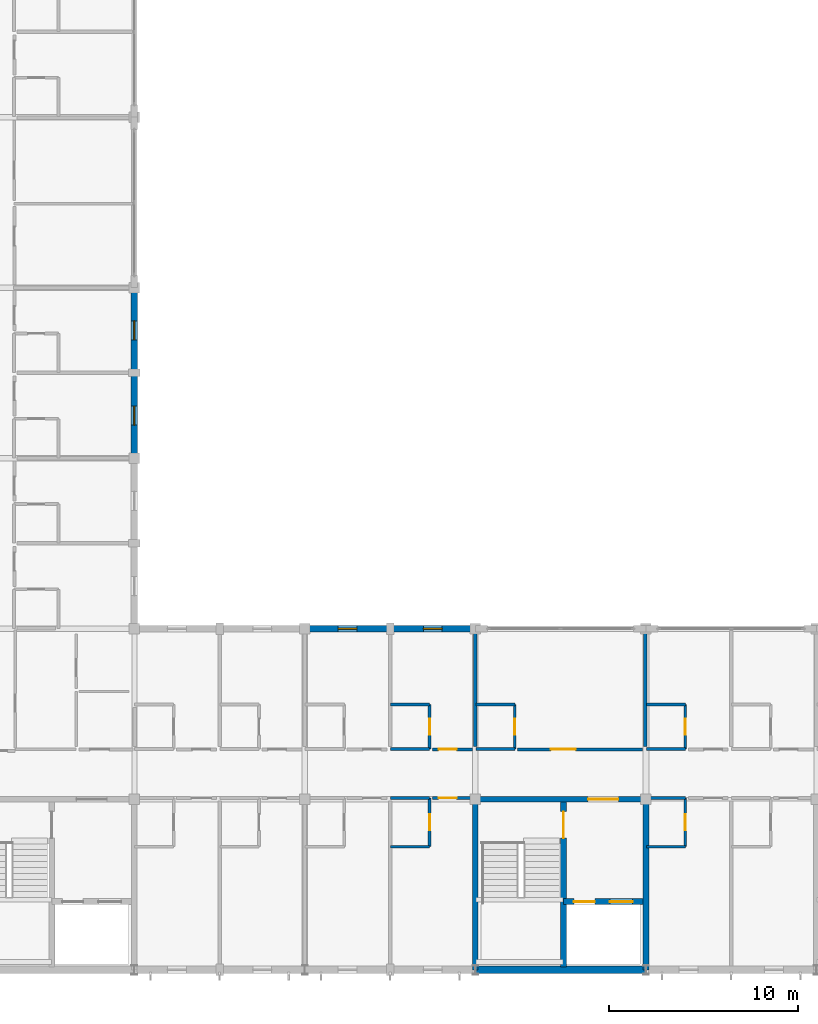
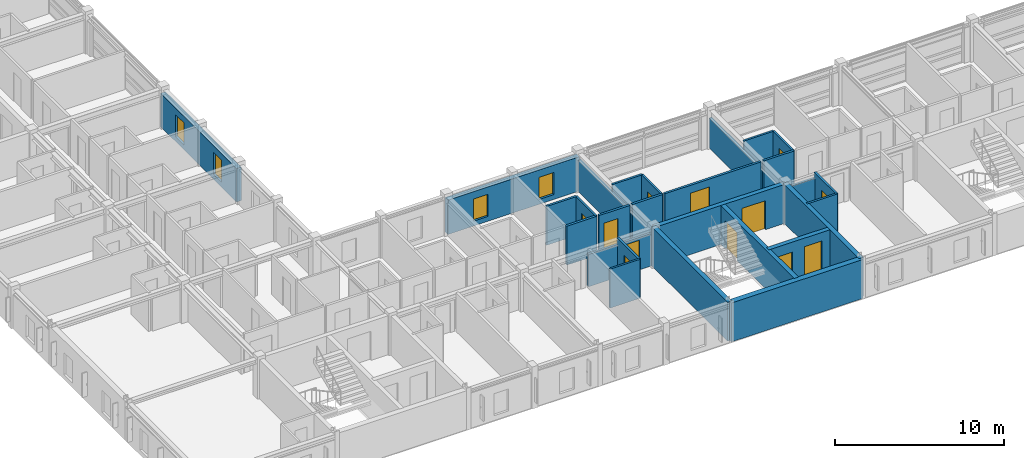
# One storey, part 17 of 30: 28 walls, 12 doors, 4 windows, 16 openings.
"""IFC4 building model written with IfcOpenShell, lengths in metres."""

from ifc_helpers import new_model, si_unit, direction, frame, frame_2d, origin, place, context, subcontext, project, spatial, rectangle, extrude, material, layer, layer_set, type_object, element, fill, save


model = new_model("IFC4")

# Units and contexts
model_context = context("Model", 3, precision=1e-05, world=origin(), true_north=direction((0.0, 1.0)))
body_context = subcontext(model_context, "Body", "Model", "MODEL_VIEW")
ifc_project = project(units=[si_unit("LENGTHUNIT", "METRE"), si_unit("AREAUNIT", "SQUARE_METRE"), si_unit("VOLUMEUNIT", "CUBIC_METRE"), si_unit("PLANEANGLEUNIT", "RADIAN"), si_unit("MASSUNIT", "GRAM", prefix="KILO")], contexts=[model_context])

# Site, building, storey
site_placement = place(None, origin())
site = spatial("IfcSite", under=ifc_project, at=site_placement, CompositionType="ELEMENT")
building_placement = place(site_placement, origin())
building = spatial("IfcBuilding", under=site, at=building_placement, Name="Palais des Congres Ocreval", CompositionType="ELEMENT")
storey_placement = place(building_placement, frame((0.0, 0.0, 14.56005859375)))
storey = spatial("IfcBuildingStorey", under=building, at=storey_placement, Name="L04", CompositionType="ELEMENT", Elevation=14.56005859375)

# Wall, opening, door
ifc_material_1 = material(Name="Moisture-resistant gypsum board")
ifc_layer_1 = layer(ifc_material_1, 0.139892578125)
ifc_layer_set_1 = layer_set([ifc_layer_1], Name="Bathroom Plumbing Chase Wall 140 Gypsum (Moisture-resistant gypsum board)")
wall_type_1 = type_object("IfcWallType", Name="Bathroom Plumbing Chase Wall 140 Gypsum", PredefinedType="PLUMBINGWALL", material=ifc_layer_set_1)
wall_1_placement = place(storey_placement, frame((33.580078125, 6.5, 0.0), z_axis=(0.0, 0.0, 1.0), x_axis=(0.0, 1.0, 0.0)))
wall_1 = element("IfcWall", 1, at=wall_1_placement, inside=storey, type_object=wall_type_1, Name="Bathroom Plumbing Wall PW03 L04", PredefinedType="PLUMBINGWALL", context=body_context, shape_type="SweptSolid", body=[
    extrude(rectangle(XDim=2.56005859375, YDim=0.139892578125, at=frame_2d((1.280029296875, 0.0))), origin(), (0.0, 0.0, 1.0), 2.81982421875),
])
opening_1_placement = place(wall_1_placement, frame((0.85498046875, 0.0, 0.0)))
opening_1 = element("IfcOpeningElement", 2, at=opening_1_placement, cuts=wall_1, Name="Opening D08", PredefinedType="OPENING", context=body_context, shape_type="SweptSolid", body=[
    extrude(rectangle(XDim=0.85009765625, YDim=2.0400390625, at=frame_2d((0.425048828125, 1.02001953125))), frame((0.0, 0.079833984375, 0.0), z_axis=(0.0, -1.0, 0.0), x_axis=(1.0, 0.0, 0.0)), (0.0, 0.0, 1.0), 0.159912109375),
])
ifc_material_2 = material(Name="Solid French oak", Category="wood")
door_type_1 = type_object("IfcDoorType", Name="En-Suite Bathroom Door 850x2040", OperationType="NOTDEFINED", PredefinedType="DOOR", material=ifc_material_2)
door_1_placement = place(opening_1_placement, origin())
door_1 = element("IfcDoor", 3, at=door_1_placement, inside=storey, type_object=door_type_1, Name="En-Suite Bathroom Door D08 L04", OperationType="SINGLE_SWING_RIGHT", OverallHeight=2.0400390625, OverallWidth=0.85009765625, PredefinedType="DOOR", context=body_context, shape_type="SweptSolid", body=[
    extrude(rectangle(XDim=0.85009765625, YDim=2.0400390625, at=frame_2d((0.425048828125, 1.02001953125))), frame((0.0, 0.02490234375, 0.0), z_axis=(0.0, -1.0, 0.0), x_axis=(1.0, 0.0, 0.0)), (0.0, 0.0, 1.0), 0.050048828125),
])
fill(opening_1, door_1)

# Wall
wall_2_placement = place(storey_placement, frame((31.52001953125, 6.5, 0.0), z_axis=(0.0, 0.0, 1.0), x_axis=(1.0, 0.0, 0.0)))
element("IfcWall", 4, at=wall_2_placement, inside=storey, type_object=wall_type_1, Name="Bathroom Plumbing Wall PW03 L04", PredefinedType="PLUMBINGWALL", context=body_context, shape_type="SweptSolid", body=[
    extrude(rectangle(XDim=2.06005859375, YDim=0.139892578125, at=frame_2d((1.030029296875, 0.0))), origin(), (0.0, 0.0, 1.0), 2.81982421875),
])

# Wall, opening, door
wall_3_placement = place(storey_placement, frame((47.080078125, 6.5, 0.0), z_axis=(0.0, 0.0, 1.0), x_axis=(0.0, 1.0, 0.0)))
wall_3 = element("IfcWall", 5, at=wall_3_placement, inside=storey, type_object=wall_type_1, Name="Bathroom Plumbing Wall PW03 L04", PredefinedType="PLUMBINGWALL", context=body_context, shape_type="SweptSolid", body=[
    extrude(rectangle(XDim=2.56005859375, YDim=0.139892578125, at=frame_2d((1.280029296875, 0.0))), origin(), (0.0, 0.0, 1.0), 2.81982421875),
])
opening_2_placement = place(wall_3_placement, frame((0.85498046875, 0.0, 0.0)))
opening_2 = element("IfcOpeningElement", 6, at=opening_2_placement, cuts=wall_3, Name="Opening D08", PredefinedType="OPENING", context=body_context, shape_type="SweptSolid", body=[
    extrude(rectangle(XDim=0.85009765625, YDim=2.0400390625, at=frame_2d((0.425048828125, 1.02001953125))), frame((0.0, 0.079833984375, 0.0), z_axis=(0.0, -1.0, 0.0), x_axis=(1.0, 0.0, 0.0)), (0.0, 0.0, 1.0), 0.159912109375),
])
door_2_placement = place(opening_2_placement, origin())
door_2 = element("IfcDoor", 7, at=door_2_placement, inside=storey, type_object=door_type_1, Name="En-Suite Bathroom Door D08 L04", OperationType="SINGLE_SWING_LEFT", OverallHeight=2.0400390625, OverallWidth=0.85009765625, PredefinedType="DOOR", context=body_context, shape_type="SweptSolid", body=[
    extrude(rectangle(XDim=0.85009765625, YDim=2.0400390625, at=frame_2d((0.425048828125, 1.02001953125))), frame((0.0, 0.02490234375, 0.0), z_axis=(0.0, -1.0, 0.0), x_axis=(1.0, 0.0, 0.0)), (0.0, 0.0, 1.0), 0.050048828125),
])
fill(opening_2, door_2)

# Wall
wall_4_placement = place(storey_placement, frame((45.02001953125, 6.5, 0.0), z_axis=(0.0, 0.0, 1.0), x_axis=(1.0, 0.0, 0.0)))
element("IfcWall", 8, at=wall_4_placement, inside=storey, type_object=wall_type_1, Name="Bathroom Plumbing Wall PW03 L04", PredefinedType="PLUMBINGWALL", context=body_context, shape_type="SweptSolid", body=[
    extrude(rectangle(XDim=2.06005859375, YDim=0.139892578125, at=frame_2d((1.030029296875, 0.0))), origin(), (0.0, 0.0, 1.0), 2.81982421875),
])

# Wall, opening, door
wall_5_placement = place(storey_placement, frame((33.580078125, 11.639892578125, 0.0), z_axis=(0.0, 0.0, 1.0), x_axis=(0.0, 1.0, 0.0)))
wall_5 = element("IfcWall", 9, at=wall_5_placement, inside=storey, type_object=wall_type_1, Name="Bathroom Plumbing Wall PW03 L04", PredefinedType="PLUMBINGWALL", context=body_context, shape_type="SweptSolid", body=[
    extrude(rectangle(XDim=2.360107421875, YDim=0.139892578125, at=frame_2d((1.18017578125, 0.0))), origin(), (0.0, 0.0, 1.0), 2.81982421875),
])
opening_3_placement = place(wall_5_placement, frame((0.7548828125, 0.0, 0.0)))
opening_3 = element("IfcOpeningElement", 10, at=opening_3_placement, cuts=wall_5, Name="Opening D08", PredefinedType="OPENING", context=body_context, shape_type="SweptSolid", body=[
    extrude(rectangle(XDim=0.85009765625, YDim=2.0400390625, at=frame_2d((0.425048828125, 1.02001953125))), frame((0.0, 0.079833984375, 0.0), z_axis=(0.0, -1.0, 0.0), x_axis=(1.0, 0.0, 0.0)), (0.0, 0.0, 1.0), 0.159912109375),
])
door_3_placement = place(opening_3_placement, origin())
door_3 = element("IfcDoor", 11, at=door_3_placement, inside=storey, type_object=door_type_1, Name="En-Suite Bathroom Door D08 L04", OperationType="SINGLE_SWING_RIGHT", OverallHeight=2.0400390625, OverallWidth=0.85009765625, PredefinedType="DOOR", context=body_context, shape_type="SweptSolid", body=[
    extrude(rectangle(XDim=0.85009765625, YDim=2.0400390625, at=frame_2d((0.425048828125, 1.02001953125))), frame((0.0, 0.02490234375, 0.0), z_axis=(0.0, -1.0, 0.0), x_axis=(1.0, 0.0, 0.0)), (0.0, 0.0, 1.0), 0.050048828125),
])
fill(opening_3, door_3)

# Wall
wall_6_placement = place(storey_placement, frame((31.52001953125, 14.0, 0.0), z_axis=(0.0, 0.0, 1.0), x_axis=(1.0, 0.0, 0.0)))
element("IfcWall", 12, at=wall_6_placement, inside=storey, type_object=wall_type_1, Name="Bathroom Plumbing Wall PW03 L04", PredefinedType="PLUMBINGWALL", context=body_context, shape_type="SweptSolid", body=[
    extrude(rectangle(XDim=2.06005859375, YDim=0.139892578125, at=frame_2d((1.030029296875, 0.0))), origin(), (0.0, 0.0, 1.0), 2.81982421875),
])

# Wall, opening, door
wall_7_placement = place(storey_placement, frame((38.080078125, 11.639892578125, 0.0), z_axis=(0.0, 0.0, 1.0), x_axis=(0.0, 1.0, 0.0)))
wall_7 = element("IfcWall", 13, at=wall_7_placement, inside=storey, type_object=wall_type_1, Name="Bathroom Plumbing Wall PW03 L04", PredefinedType="PLUMBINGWALL", context=body_context, shape_type="SweptSolid", body=[
    extrude(rectangle(XDim=2.360107421875, YDim=0.139892578125, at=frame_2d((1.18017578125, 0.0))), origin(), (0.0, 0.0, 1.0), 2.81982421875),
])
opening_4_placement = place(wall_7_placement, frame((0.7548828125, 0.0, 0.0)))
opening_4 = element("IfcOpeningElement", 14, at=opening_4_placement, cuts=wall_7, Name="Opening D08", PredefinedType="OPENING", context=body_context, shape_type="SweptSolid", body=[
    extrude(rectangle(XDim=0.85009765625, YDim=2.0400390625, at=frame_2d((0.425048828125, 1.02001953125))), frame((0.0, 0.079833984375, 0.0), z_axis=(0.0, -1.0, 0.0), x_axis=(1.0, 0.0, 0.0)), (0.0, 0.0, 1.0), 0.159912109375),
])
door_4_placement = place(opening_4_placement, origin())
door_4 = element("IfcDoor", 15, at=door_4_placement, inside=storey, type_object=door_type_1, Name="En-Suite Bathroom Door D08 L04", OperationType="SINGLE_SWING_LEFT", OverallHeight=2.0400390625, OverallWidth=0.85009765625, PredefinedType="DOOR", context=body_context, shape_type="SweptSolid", body=[
    extrude(rectangle(XDim=0.85009765625, YDim=2.0400390625, at=frame_2d((0.425048828125, 1.02001953125))), frame((0.0, 0.02490234375, 0.0), z_axis=(0.0, -1.0, 0.0), x_axis=(1.0, 0.0, 0.0)), (0.0, 0.0, 1.0), 0.050048828125),
])
fill(opening_4, door_4)

# Wall
wall_8_placement = place(storey_placement, frame((36.02001953125, 14.0, 0.0), z_axis=(0.0, 0.0, 1.0), x_axis=(1.0, 0.0, 0.0)))
element("IfcWall", 16, at=wall_8_placement, inside=storey, type_object=wall_type_1, Name="Bathroom Plumbing Wall PW03 L04", PredefinedType="PLUMBINGWALL", context=body_context, shape_type="SweptSolid", body=[
    extrude(rectangle(XDim=2.06005859375, YDim=0.139892578125, at=frame_2d((1.030029296875, 0.0))), origin(), (0.0, 0.0, 1.0), 2.81982421875),
])

# Wall, opening, door
wall_9_placement = place(storey_placement, frame((47.080078125, 11.639892578125, 0.0), z_axis=(0.0, 0.0, 1.0), x_axis=(0.0, 1.0, 0.0)))
wall_9 = element("IfcWall", 17, at=wall_9_placement, inside=storey, type_object=wall_type_1, Name="Bathroom Plumbing Wall PW03 L04", PredefinedType="PLUMBINGWALL", context=body_context, shape_type="SweptSolid", body=[
    extrude(rectangle(XDim=2.360107421875, YDim=0.139892578125, at=frame_2d((1.18017578125, 0.0))), origin(), (0.0, 0.0, 1.0), 2.81982421875),
])
opening_5_placement = place(wall_9_placement, frame((0.7548828125, 0.0, 0.0)))
opening_5 = element("IfcOpeningElement", 18, at=opening_5_placement, cuts=wall_9, Name="Opening D08", PredefinedType="OPENING", context=body_context, shape_type="SweptSolid", body=[
    extrude(rectangle(XDim=0.85009765625, YDim=2.0400390625, at=frame_2d((0.425048828125, 1.02001953125))), frame((0.0, 0.079833984375, 0.0), z_axis=(0.0, -1.0, 0.0), x_axis=(1.0, 0.0, 0.0)), (0.0, 0.0, 1.0), 0.159912109375),
])
door_5_placement = place(opening_5_placement, origin())
door_5 = element("IfcDoor", 19, at=door_5_placement, inside=storey, type_object=door_type_1, Name="En-Suite Bathroom Door D08 L04", OperationType="SINGLE_SWING_RIGHT", OverallHeight=2.0400390625, OverallWidth=0.85009765625, PredefinedType="DOOR", context=body_context, shape_type="SweptSolid", body=[
    extrude(rectangle(XDim=0.85009765625, YDim=2.0400390625, at=frame_2d((0.425048828125, 1.02001953125))), frame((0.0, 0.02490234375, 0.0), z_axis=(0.0, -1.0, 0.0), x_axis=(1.0, 0.0, 0.0)), (0.0, 0.0, 1.0), 0.050048828125),
])
fill(opening_5, door_5)

# Walls
wall_10_placement = place(storey_placement, frame((45.02001953125, 14.0, 0.0), z_axis=(0.0, 0.0, 1.0), x_axis=(1.0, 0.0, 0.0)))
element("IfcWall", 20, at=wall_10_placement, inside=storey, type_object=wall_type_1, Name="Bathroom Plumbing Wall PW03 L04", PredefinedType="PLUMBINGWALL", context=body_context, shape_type="SweptSolid", body=[
    extrude(rectangle(XDim=2.06005859375, YDim=0.139892578125, at=frame_2d((1.030029296875, 0.0))), origin(), (0.0, 0.0, 1.0), 2.81982421875),
])
ifc_material_3 = material(Name="Concrete C40/50", Category="concrete")
ifc_layer_2 = layer(ifc_material_3, 0.300048828125)
ifc_layer_set_2 = layer_set([ifc_layer_2], Name="Core Shear Wall 300 Concrete C40/50")
wall_type_2 = type_object("IfcWallType", Name="Core Shear Wall 300 Concrete C40/50", PredefinedType="SHEAR", material=ifc_layer_set_2)
wall_11_placement = place(storey_placement, frame((45.0, 0.0, 0.0), z_axis=(0.0, 0.0, 1.0), x_axis=(0.0, 1.0, 0.0)))
element("IfcWall", 21, at=wall_11_placement, inside=storey, type_object=wall_type_2, Name="Core Shear Wall SC02 L04 E", PredefinedType="SHEAR", context=body_context, shape_type="SweptSolid", body=[
    extrude(rectangle(XDim=9.0, YDim=0.300048828125, at=frame_2d((4.5, 0.0))), origin(), (0.0, 0.0, 1.0), 2.81982421875),
])

# Wall, opening, door
wall_12_placement = place(storey_placement, frame((36.0, 9.0, 0.0), z_axis=(0.0, 0.0, 1.0), x_axis=(1.0, 0.0, 0.0)))
wall_12 = element("IfcWall", 22, at=wall_12_placement, inside=storey, type_object=wall_type_2, Name="Core Shear Wall SC02 L04 N", PredefinedType="SHEAR", context=body_context, shape_type="SweptSolid", body=[
    extrude(rectangle(XDim=9.0, YDim=0.300048828125, at=frame_2d((4.5, 0.0))), origin(), (0.0, 0.0, 1.0), 2.81982421875),
])
opening_6_placement = place(wall_12_placement, frame((5.949951171875, 0.0, 0.0)))
opening_6 = element("IfcOpeningElement", 23, at=opening_6_placement, cuts=wall_12, Name="Opening D02", PredefinedType="OPENING", context=body_context, shape_type="SweptSolid", body=[
    extrude(rectangle(XDim=1.60009765625, YDim=2.10009765625, at=frame_2d((0.800048828125, 1.050048828125))), frame((0.0, 0.159912109375, 0.0), z_axis=(0.0, -1.0, 0.0), x_axis=(1.0, 0.0, 0.0)), (0.0, 0.0, 1.0), 0.320068359375),
])
ifc_material_4 = material(Name="Painted fire-rated steel", Category="steel")
door_type_2 = type_object("IfcDoorType", Name="Firefighting Lobby Rated Door 1600x2100", OperationType="NOTDEFINED", PredefinedType="DOOR", material=ifc_material_4)
door_6_placement = place(opening_6_placement, origin())
door_6 = element("IfcDoor", 24, at=door_6_placement, inside=storey, type_object=door_type_2, Name="Firefighting Lobby Entrance Door SC02 L04", OperationType="DOUBLE_DOOR_SINGLE_SWING", OverallHeight=2.10009765625, OverallWidth=1.60009765625, PredefinedType="DOOR", context=body_context, shape_type="SweptSolid", body=[
    extrude(rectangle(XDim=1.60009765625, YDim=2.10009765625, at=frame_2d((0.800048828125, 1.050048828125))), frame((0.0, 0.02490234375, 0.0), z_axis=(0.0, -1.0, 0.0), x_axis=(1.0, 0.0, 0.0)), (0.0, 0.0, 1.0), 0.050048828125),
])
fill(opening_6, door_6)

# Wall
wall_13_placement = place(storey_placement, frame((36.0, 0.0, 0.0), z_axis=(0.0, 0.0, 1.0), x_axis=(0.0, 1.0, 0.0)))
element("IfcWall", 25, at=wall_13_placement, inside=storey, type_object=wall_type_2, Name="Core Shear Wall SC02 L04 W", PredefinedType="SHEAR", context=body_context, shape_type="SweptSolid", body=[
    extrude(rectangle(XDim=9.0, YDim=0.300048828125, at=frame_2d((4.5, 0.0))), origin(), (0.0, 0.0, 1.0), 2.81982421875),
])

# Wall, opening, door
wall_14_placement = place(storey_placement, frame((40.64990234375, 0.14990234375, 0.0), z_axis=(0.0, 0.0, 1.0), x_axis=(0.0, 1.0, 0.0)))
wall_14 = element("IfcWall", 26, at=wall_14_placement, inside=storey, type_object=wall_type_2, Name="Core Spine Shear Wall SC02 L04", PredefinedType="SHEAR", context=body_context, shape_type="SweptSolid", body=[
    extrude(rectangle(XDim=8.7001953125, YDim=0.300048828125, at=frame_2d((4.35009765625, 0.0))), origin(), (0.0, 0.0, 1.0), 2.81982421875),
])
opening_7_placement = place(wall_14_placement, frame((6.800048828125, 0.0, 0.0)))
opening_7 = element("IfcOpeningElement", 27, at=opening_7_placement, cuts=wall_14, Name="Opening D03", PredefinedType="OPENING", context=body_context, shape_type="SweptSolid", body=[
    extrude(rectangle(XDim=1.39990234375, YDim=2.02001953125, at=frame_2d((0.699951171875, 1.010009765625))), frame((0.0, 0.159912109375, 0.0), z_axis=(0.0, -1.0, 0.0), x_axis=(1.0, 0.0, 0.0)), (0.0, 0.0, 1.0), 0.320068359375),
])
door_type_3 = type_object("IfcDoorType", Name="Core Lobby Rated Door 1400x2020", OperationType="NOTDEFINED", PredefinedType="DOOR", material=ifc_material_4)
door_7_placement = place(opening_7_placement, origin())
door_7 = element("IfcDoor", 28, at=door_7_placement, inside=storey, type_object=door_type_3, Name="Protected Exit Stair Door ST02 L04", OperationType="SINGLE_SWING_RIGHT", OverallHeight=2.02001953125, OverallWidth=1.39990234375, PredefinedType="DOOR", context=body_context, shape_type="SweptSolid", body=[
    extrude(rectangle(XDim=1.39990234375, YDim=2.02001953125, at=frame_2d((0.699951171875, 1.010009765625))), frame((0.0, 0.02490234375, 0.0), z_axis=(0.0, -1.0, 0.0), x_axis=(1.0, 0.0, 0.0)), (0.0, 0.0, 1.0), 0.050048828125),
])
fill(opening_7, door_7)

# Wall, openings, doors
wall_15_placement = place(storey_placement, frame((40.64990234375, 3.60009765625, 0.0), z_axis=(0.0, 0.0, 1.0), x_axis=(1.0, 0.0, 0.0)))
wall_15 = element("IfcWall", 29, at=wall_15_placement, inside=storey, type_object=wall_type_2, Name="Lift Shaft Front Wall SC02 L04", PredefinedType="SHEAR", context=body_context, shape_type="SweptSolid", body=[
    extrude(rectangle(XDim=4.2001953125, YDim=0.300048828125, at=frame_2d((2.10009765625, 0.0))), origin(), (0.0, 0.0, 1.0), 2.81982421875),
])
opening_8_placement = place(wall_15_placement, frame((0.550048828125, 0.0, 0.0)))
opening_8 = element("IfcOpeningElement", 30, at=opening_8_placement, cuts=wall_15, Name="Opening LD01", PredefinedType="OPENING", context=body_context, shape_type="SweptSolid", body=[
    extrude(rectangle(XDim=1.10009765625, YDim=2.10009765625, at=frame_2d((0.550048828125, 1.050048828125))), frame((0.0, 0.159912109375, 0.0), z_axis=(0.0, -1.0, 0.0), x_axis=(1.0, 0.0, 0.0)), (0.0, 0.0, 1.0), 0.320068359375),
])
opening_9_placement = place(wall_15_placement, frame((2.449951171875, 0.0, 0.0)))
opening_9 = element("IfcOpeningElement", 31, at=opening_9_placement, cuts=wall_15, Name="Opening LD02", PredefinedType="OPENING", context=body_context, shape_type="SweptSolid", body=[
    extrude(rectangle(XDim=1.199951171875, YDim=2.199951171875, at=frame_2d((0.60009765625, 1.10009765625))), frame((0.0, 0.159912109375, 0.0), z_axis=(0.0, -1.0, 0.0), x_axis=(1.0, 0.0, 0.0)), (0.0, 0.0, 1.0), 0.320068359375),
])
ifc_material_5 = material(Name="Stainless steel", Category="steel")
door_type_4 = type_object("IfcDoorType", Name="Firefighting Lift Sliding Landing Door 1100x2100", OperationType="NOTDEFINED", PredefinedType="DOOR", material=ifc_material_5)
door_8_placement = place(opening_8_placement, origin())
door_8 = element("IfcDoor", 32, at=door_8_placement, inside=storey, type_object=door_type_4, Name="Lift Landing Sliding Door FF2 L04", OperationType="DOUBLE_DOOR_SLIDING", OverallHeight=2.10009765625, OverallWidth=1.10009765625, PredefinedType="DOOR", context=body_context, shape_type="SweptSolid", body=[
    extrude(rectangle(XDim=1.10009765625, YDim=2.10009765625, at=frame_2d((0.550048828125, 1.050048828125))), frame((0.0, 0.02490234375, 0.0), z_axis=(0.0, -1.0, 0.0), x_axis=(1.0, 0.0, 0.0)), (0.0, 0.0, 1.0), 0.050048828125),
])
fill(opening_8, door_8)
ifc_material_6 = material(Name="Anodized bronze steel", Category="steel")
door_type_5 = type_object("IfcDoorType", Name="Passenger and Service Lift Sliding Door 1200x2200", OperationType="NOTDEFINED", PredefinedType="DOOR", material=ifc_material_6)
door_9_placement = place(opening_9_placement, origin())
door_9 = element("IfcDoor", 33, at=door_9_placement, inside=storey, type_object=door_type_5, Name="Lift Landing Sliding Door PL2 L04", OperationType="DOUBLE_DOOR_SLIDING", OverallHeight=2.199951171875, OverallWidth=1.199951171875, PredefinedType="DOOR", context=body_context, shape_type="SweptSolid", body=[
    extrude(rectangle(XDim=1.199951171875, YDim=2.199951171875, at=frame_2d((0.60009765625, 1.10009765625))), frame((0.0, 0.02490234375, 0.0), z_axis=(0.0, -1.0, 0.0), x_axis=(1.0, 0.0, 0.0)), (0.0, 0.0, 1.0), 0.050048828125),
])
fill(opening_9, door_9)

# Walls
ifc_material_7 = material(Name="Gypsum acoustic partition")
ifc_layer_3 = layer(ifc_material_7, 0.159912109375)
ifc_layer_set_3 = layer_set([ifc_layer_3], Name="Corridor Fire Partition 160 Gypsum (Gypsum acoustic partition)")
wall_type_3 = type_object("IfcWallType", Name="Corridor Fire Partition 160 Gypsum", PredefinedType="PARTITIONING", material=ifc_layer_set_3)
wall_16_placement = place(storey_placement, frame((31.52001953125, 9.06005859375, 0.0), z_axis=(0.0, 0.0, 1.0), x_axis=(1.0, 0.0, 0.0)))
element("IfcWall", 34, at=wall_16_placement, inside=storey, type_object=wall_type_3, Name="Corridor Partition IW03 L04", PredefinedType="PARTITIONING", context=body_context, shape_type="SweptSolid", body=[
    extrude(rectangle(XDim=2.06005859375, YDim=0.159912109375, at=frame_2d((1.030029296875, 0.0))), origin(), (0.0, 0.0, 1.0), 2.33984375),
])
wall_17_placement = place(storey_placement, frame((45.02001953125, 9.06005859375, 0.0), z_axis=(0.0, 0.0, 1.0), x_axis=(1.0, 0.0, 0.0)))
element("IfcWall", 35, at=wall_17_placement, inside=storey, type_object=wall_type_3, Name="Corridor Partition IW03 L04", PredefinedType="PARTITIONING", context=body_context, shape_type="SweptSolid", body=[
    extrude(rectangle(XDim=2.06005859375, YDim=0.159912109375, at=frame_2d((1.030029296875, 0.0))), origin(), (0.0, 0.0, 1.0), 2.419921875),
])
for number, where, z_axis, x_axis, name in (
    (36, (31.52001953125, 11.639892578125, 0.0), (0.0, 0.0, 1.0), (1.0, 0.0, 0.0), "Corridor Partition IW03 L04"),
    (37, (36.02001953125, 11.639892578125, 0.0), (0.0, 0.0, 1.0), (1.0, 0.0, 0.0), "Corridor Partition IW03 L04"),
    (38, (45.02001953125, 11.639892578125, 0.0), (0.0, 0.0, 1.0), (1.0, 0.0, 0.0), "Corridor Partition IW03 L04"),
):
    element("IfcWall", number, at=place(storey_placement, frame(where, z_axis=z_axis, x_axis=x_axis)), inside=storey, type_object=wall_type_3, Name=name, PredefinedType="PARTITIONING", context=body_context, shape_type="SweptSolid", body=[
        extrude(rectangle(XDim=2.06005859375, YDim=0.159912109375, at=frame_2d((1.030029296875, 0.0))), origin(), (0.0, 0.0, 1.0), 2.81982421875),
    ])

# Wall, opening, door
wall_18_placement = place(storey_placement, frame((33.735107421875, 9.06494140625, 0.0), z_axis=(0.0, 0.0, 1.0), x_axis=(1.0, 0.0, 0.0)))
wall_18 = element("IfcWall", 39, at=wall_18_placement, inside=storey, type_object=wall_type_3, Name="Interior Partition IW03 L04", PredefinedType="PARTITIONING", context=body_context, shape_type="SweptSolid", body=[
    extrude(rectangle(XDim=2.10986328125, YDim=0.159912109375, at=frame_2d((1.054931640625, 0.0))), origin(), (0.0, 0.0, 1.0), 2.33984375),
])
opening_10_placement = place(wall_18_placement, frame((0.326904296875, 0.0, 0.0)))
opening_10 = element("IfcOpeningElement", 40, at=opening_10_placement, cuts=wall_18, Name="Opening D05", PredefinedType="OPENING", context=body_context, shape_type="SweptSolid", body=[
    extrude(rectangle(XDim=0.949951171875, YDim=2.14990234375, at=frame_2d((0.47509765625, 1.074951171875))), frame((0.0, 0.08984375, 0.0), z_axis=(0.0, -1.0, 0.0), x_axis=(1.0, 0.0, 0.0)), (0.0, 0.0, 1.0), 0.179931640625),
])
door_type_6 = type_object("IfcDoorType", Name="Hotel Guestroom Entrance Door 950x2150", OperationType="NOTDEFINED", PredefinedType="DOOR", material=ifc_material_2)
door_10_placement = place(opening_10_placement, origin())
door_10 = element("IfcDoor", 41, at=door_10_placement, inside=storey, type_object=door_type_6, Name="Interior Door D05 L04", OperationType="SINGLE_SWING_LEFT", OverallHeight=2.14990234375, OverallWidth=0.949951171875, PredefinedType="DOOR", context=body_context, shape_type="SweptSolid", body=[
    extrude(rectangle(XDim=0.949951171875, YDim=2.14990234375, at=frame_2d((0.47509765625, 1.074951171875))), frame((0.0, 0.02490234375, 0.0), z_axis=(0.0, -1.0, 0.0), x_axis=(1.0, 0.0, 0.0)), (0.0, 0.0, 1.0), 0.050048828125),
])
fill(opening_10, door_10)

wall_19_placement = place(storey_placement, frame((33.735107421875, 11.635009765625, 0.0), z_axis=(0.0, 0.0, 1.0), x_axis=(1.0, 0.0, 0.0)))
wall_19 = element("IfcWall", 42, at=wall_19_placement, inside=storey, type_object=wall_type_3, Name="Interior Partition IW03 L04", PredefinedType="PARTITIONING", context=body_context, shape_type="SweptSolid", body=[
    extrude(rectangle(XDim=2.10986328125, YDim=0.159912109375, at=frame_2d((1.054931640625, 0.0))), origin(), (0.0, 0.0, 1.0), 2.81982421875),
])
opening_11_placement = place(wall_19_placement, frame((0.326904296875, 0.0, 0.0)))
opening_11 = element("IfcOpeningElement", 43, at=opening_11_placement, cuts=wall_19, Name="Opening D05", PredefinedType="OPENING", context=body_context, shape_type="SweptSolid", body=[
    extrude(rectangle(XDim=0.949951171875, YDim=2.14990234375, at=frame_2d((0.47509765625, 1.074951171875))), frame((0.0, 0.08984375, 0.0), z_axis=(0.0, -1.0, 0.0), x_axis=(1.0, 0.0, 0.0)), (0.0, 0.0, 1.0), 0.179931640625),
])
door_11_placement = place(opening_11_placement, origin())
door_11 = element("IfcDoor", 44, at=door_11_placement, inside=storey, type_object=door_type_6, Name="Interior Door D05 L04", OperationType="SINGLE_SWING_RIGHT", OverallHeight=2.14990234375, OverallWidth=0.949951171875, PredefinedType="DOOR", context=body_context, shape_type="SweptSolid", body=[
    extrude(rectangle(XDim=0.949951171875, YDim=2.14990234375, at=frame_2d((0.47509765625, 1.074951171875))), frame((0.0, 0.02490234375, 0.0), z_axis=(0.0, -1.0, 0.0), x_axis=(1.0, 0.0, 0.0)), (0.0, 0.0, 1.0), 0.050048828125),
])
fill(opening_11, door_11)

wall_20_placement = place(storey_placement, frame((38.235107421875, 11.635009765625, 0.0), z_axis=(0.0, 0.0, 1.0), x_axis=(1.0, 0.0, 0.0)))
wall_20 = element("IfcWall", 45, at=wall_20_placement, inside=storey, type_object=wall_type_3, Name="Interior Partition IW03 L04", PredefinedType="PARTITIONING", context=body_context, shape_type="SweptSolid", body=[
    extrude(rectangle(XDim=6.5849609375, YDim=0.159912109375, at=frame_2d((3.29248046875, 0.0))), origin(), (0.0, 0.0, 1.0), 2.81982421875),
])
opening_12_placement = place(wall_20_placement, frame((1.75, 0.0, 0.0)))
opening_12 = element("IfcOpeningElement", 46, at=opening_12_placement, cuts=wall_20, Name="Opening D07", PredefinedType="OPENING", context=body_context, shape_type="SweptSolid", body=[
    extrude(rectangle(XDim=1.300048828125, YDim=2.25, at=frame_2d((0.64990234375, 1.125))), frame((0.0, 0.08984375, 0.0), z_axis=(0.0, -1.0, 0.0), x_axis=(1.0, 0.0, 0.0)), (0.0, 0.0, 1.0), 0.179931640625),
])
door_type_7 = type_object("IfcDoorType", Name="Luxury Suite Double Door 1300x2250", OperationType="NOTDEFINED", PredefinedType="DOOR", material=ifc_material_2)
door_12_placement = place(opening_12_placement, origin())
door_12 = element("IfcDoor", 47, at=door_12_placement, inside=storey, type_object=door_type_7, Name="Interior Door D07 L04", OperationType="DOUBLE_DOOR_SINGLE_SWING", OverallHeight=2.25, OverallWidth=1.300048828125, PredefinedType="DOOR", context=body_context, shape_type="SweptSolid", body=[
    extrude(rectangle(XDim=1.300048828125, YDim=2.25, at=frame_2d((0.64990234375, 1.125))), frame((0.0, 0.02490234375, 0.0), z_axis=(0.0, -1.0, 0.0), x_axis=(1.0, 0.0, 0.0)), (0.0, 0.0, 1.0), 0.050048828125),
])
fill(opening_12, door_12)

# Walls
ifc_layer_4 = layer(ifc_material_7, 0.179931640625)
ifc_layer_set_4 = layer_set([ifc_layer_4], Name="Hotel Inter-Room Acoustic Partition 180 Gypsum (Gypsum acoustic partition)")
wall_type_4 = type_object("IfcWallType", Name="Hotel Inter-Room Acoustic Partition 180 Gypsum", PredefinedType="PARTITIONING", material=ifc_layer_set_4)
wall_21_placement = place(storey_placement, frame((36.0, 11.794921875, 0.0), z_axis=(0.0, 0.0, 1.0), x_axis=(0.0, 1.0, 0.0)))
element("IfcWall", 48, at=wall_21_placement, inside=storey, type_object=wall_type_4, Name="Hotel Party Partition IW02 L04", PredefinedType="PARTITIONING", context=body_context, shape_type="SweptSolid", body=[
    extrude(rectangle(XDim=6.030029296875, YDim=0.179931640625, at=frame_2d((3.01513671875, 0.0))), origin(), (0.0, 0.0, 1.0), 2.2900390625),
])
wall_22_placement = place(storey_placement, frame((44.97509765625, 11.794921875, 0.0), z_axis=(0.0, 0.0, 1.0), x_axis=(0.0, 1.0, 0.0)))
element("IfcWall", 49, at=wall_22_placement, inside=storey, type_object=wall_type_4, Name="Hotel Party Partition IW02 L04", PredefinedType="PARTITIONING", context=body_context, shape_type="SweptSolid", body=[
    extrude(rectangle(XDim=6.030029296875, YDim=0.179931640625, at=frame_2d((3.01513671875, 0.0))), origin(), (0.0, 0.0, 1.0), 2.18994140625),
])
ifc_layer_5 = layer(ifc_material_3, 0.3798828125)
ifc_layer_set_5 = layer_set([ifc_layer_5], Name="Lutetian Limestone Street Wall 380 Concrete C40/50")
wall_type_5 = type_object("IfcWallType", Name="Lutetian Limestone Street Wall 380 Concrete C40/50", PredefinedType="SOLIDWALL", material=ifc_layer_set_5)
wall_23_placement = place(storey_placement, frame((45.0, 0.0, 0.0), z_axis=(0.0, 0.0, 1.0), x_axis=(-1.0, 0.0, 0.0)))
element("IfcWall", 50, at=wall_23_placement, inside=storey, type_object=wall_type_5, Name="Core Perimeter Shear Wall EW03 SC02 L04", PredefinedType="SOLIDWALL", context=body_context, shape_type="SweptSolid", body=[
    extrude(rectangle(XDim=9.0, YDim=0.3798828125, at=frame_2d((4.5, 0.0))), origin(), (0.0, 0.0, 1.0), 2.81982421875),
])

# Wall, openings, windows
ifc_layer_6 = layer(ifc_material_3, 0.340087890625)
ifc_layer_set_6 = layer_set([ifc_layer_6], Name="Ochre Mineral-Lime Courtyard Wall 340 Concrete C40/50")
wall_type_6 = type_object("IfcWallType", Name="Ochre Mineral-Lime Courtyard Wall 340 Concrete C40/50", PredefinedType="SOLIDWALL", material=ifc_layer_set_6)
wall_24_placement = place(storey_placement, frame((18.0, 36.0, 0.0), z_axis=(0.0, 0.0, 1.0), x_axis=(0.0, -1.0, 0.0)))
wall_24 = element("IfcWall", 51, at=wall_24_placement, inside=storey, type_object=wall_type_6, Name="Exterior Wall EW04 L04", PredefinedType="SOLIDWALL", context=body_context, shape_type="SweptSolid", body=[
    extrude(rectangle(XDim=9.0, YDim=0.340087890625, at=frame_2d((4.5, 0.0))), origin(), (0.0, 0.0, 1.0), 2.419921875),
])
opening_13_placement = place(wall_24_placement, frame((1.75, 0.0, 0.35009765625)))
opening_13 = element("IfcOpeningElement", 52, at=opening_13_placement, cuts=wall_24, Name="Opening WN18", PredefinedType="OPENING", context=body_context, shape_type="SweptSolid", body=[
    extrude(rectangle(XDim=1.0, YDim=1.60009765625, at=frame_2d((0.5, 0.800048828125))), frame((0.0, 0.179931640625, 0.0), z_axis=(0.0, -1.0, 0.0), x_axis=(1.0, 0.0, 0.0)), (0.0, 0.0, 1.0), 0.360107421875),
])
opening_14_placement = place(wall_24_placement, frame((6.25, 0.0, 0.35009765625)))
opening_14 = element("IfcOpeningElement", 53, at=opening_14_placement, cuts=wall_24, Name="Opening WN18", PredefinedType="OPENING", context=body_context, shape_type="SweptSolid", body=[
    extrude(rectangle(XDim=1.0, YDim=1.60009765625, at=frame_2d((0.5, 0.800048828125))), frame((0.0, 0.179931640625, 0.0), z_axis=(0.0, -1.0, 0.0), x_axis=(1.0, 0.0, 0.0)), (0.0, 0.0, 1.0), 0.360107421875),
])
ifc_material_8 = material(Name="Anodized bronze aluminium and low-E glass", Category="glass")
window_type = type_object("IfcWindowType", Name="Stair and Lobby Daylight Window 1000x1600", PartitioningType="SINGLE_PANEL", PredefinedType="WINDOW", material=ifc_material_8)
window_1_placement = place(opening_13_placement, origin())
window_1 = element("IfcWindow", 54, at=window_1_placement, inside=storey, type_object=window_type, Name="Hotel Facade Window WN18", OverallHeight=1.60009765625, OverallWidth=1.0, PartitioningType="SINGLE_PANEL", PredefinedType="WINDOW", context=body_context, shape_type="SweptSolid", body=[
    extrude(rectangle(XDim=1.0, YDim=1.60009765625, at=frame_2d((0.5, 0.800048828125))), frame((0.0, 0.030029296875, 0.0), z_axis=(0.0, -1.0, 0.0), x_axis=(1.0, 0.0, 0.0)), (0.0, 0.0, 1.0), 0.06005859375),
])
fill(opening_13, window_1)
window_2_placement = place(opening_14_placement, origin())
window_2 = element("IfcWindow", 55, at=window_2_placement, inside=storey, type_object=window_type, Name="Hotel Facade Window WN18", OverallHeight=1.60009765625, OverallWidth=1.0, PartitioningType="SINGLE_PANEL", PredefinedType="WINDOW", context=body_context, shape_type="SweptSolid", body=[
    extrude(rectangle(XDim=1.0, YDim=1.60009765625, at=frame_2d((0.5, 0.800048828125))), frame((0.0, 0.030029296875, 0.0), z_axis=(0.0, -1.0, 0.0), x_axis=(1.0, 0.0, 0.0)), (0.0, 0.0, 1.0), 0.06005859375),
])
fill(opening_14, window_2)

wall_25_placement = place(storey_placement, frame((27.0, 18.0, 0.0), z_axis=(0.0, 0.0, 1.0), x_axis=(1.0, 0.0, 0.0)))
wall_25 = element("IfcWall", 56, at=wall_25_placement, inside=storey, type_object=wall_type_6, Name="Exterior Wall EW04 L04", PredefinedType="SOLIDWALL", context=body_context, shape_type="SweptSolid", body=[
    extrude(rectangle(XDim=9.0, YDim=0.340087890625, at=frame_2d((4.5, 0.0))), origin(), (0.0, 0.0, 1.0), 2.47998046875),
])
opening_15_placement = place(wall_25_placement, frame((1.75, 0.0, 0.35009765625)))
opening_15 = element("IfcOpeningElement", 57, at=opening_15_placement, cuts=wall_25, Name="Opening WN18", PredefinedType="OPENING", context=body_context, shape_type="SweptSolid", body=[
    extrude(rectangle(XDim=1.0, YDim=1.60009765625, at=frame_2d((0.5, 0.800048828125))), frame((0.0, 0.179931640625, 0.0), z_axis=(0.0, -1.0, 0.0), x_axis=(1.0, 0.0, 0.0)), (0.0, 0.0, 1.0), 0.360107421875),
])
opening_16_placement = place(wall_25_placement, frame((6.25, 0.0, 0.35009765625)))
opening_16 = element("IfcOpeningElement", 58, at=opening_16_placement, cuts=wall_25, Name="Opening WN18", PredefinedType="OPENING", context=body_context, shape_type="SweptSolid", body=[
    extrude(rectangle(XDim=1.0, YDim=1.60009765625, at=frame_2d((0.5, 0.800048828125))), frame((0.0, 0.179931640625, 0.0), z_axis=(0.0, -1.0, 0.0), x_axis=(1.0, 0.0, 0.0)), (0.0, 0.0, 1.0), 0.360107421875),
])
window_3_placement = place(opening_15_placement, origin())
window_3 = element("IfcWindow", 59, at=window_3_placement, inside=storey, type_object=window_type, Name="Hotel Facade Window WN18", OverallHeight=1.60009765625, OverallWidth=1.0, PartitioningType="SINGLE_PANEL", PredefinedType="WINDOW", context=body_context, shape_type="SweptSolid", body=[
    extrude(rectangle(XDim=1.0, YDim=1.60009765625, at=frame_2d((0.5, 0.800048828125))), frame((0.0, 0.030029296875, 0.0), z_axis=(0.0, -1.0, 0.0), x_axis=(1.0, 0.0, 0.0)), (0.0, 0.0, 1.0), 0.06005859375),
])
fill(opening_15, window_3)
window_4_placement = place(opening_16_placement, origin())
window_4 = element("IfcWindow", 60, at=window_4_placement, inside=storey, type_object=window_type, Name="Hotel Facade Window WN18", OverallHeight=1.60009765625, OverallWidth=1.0, PartitioningType="SINGLE_PANEL", PredefinedType="WINDOW", context=body_context, shape_type="SweptSolid", body=[
    extrude(rectangle(XDim=1.0, YDim=1.60009765625, at=frame_2d((0.5, 0.800048828125))), frame((0.0, 0.030029296875, 0.0), z_axis=(0.0, -1.0, 0.0), x_axis=(1.0, 0.0, 0.0)), (0.0, 0.0, 1.0), 0.06005859375),
])
fill(opening_16, window_4)

save(model, "model.ifc")
